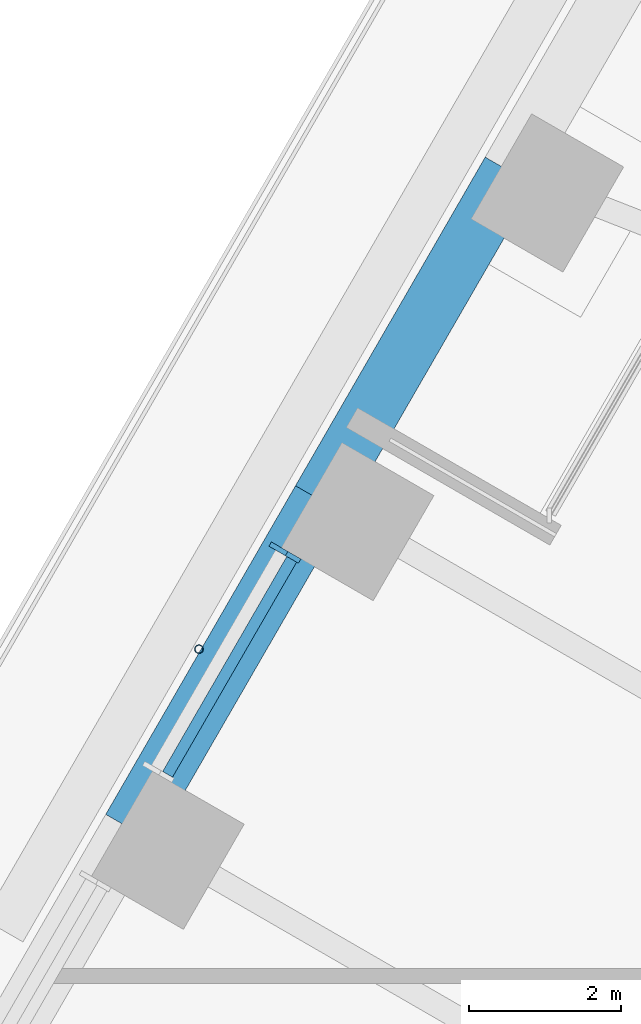
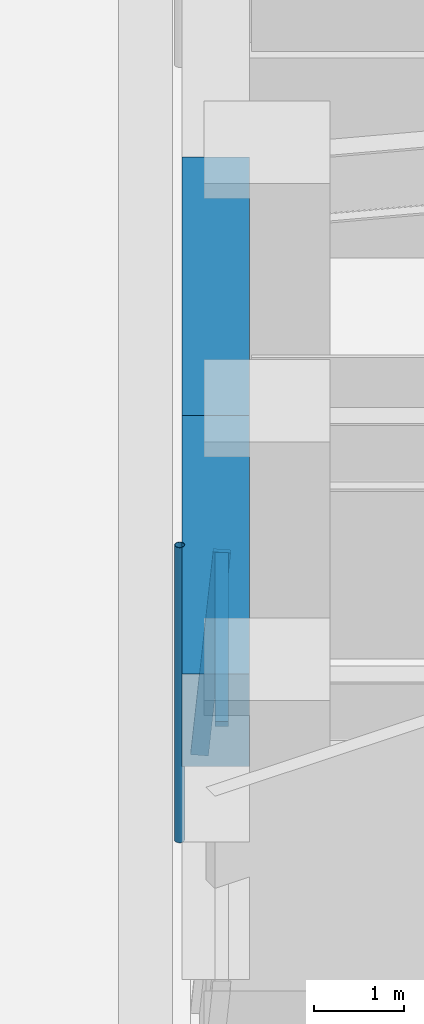
# One storey, part 7 of 24: 3 members, 2 beams, 1 element without a shape of its own.
"""IFC4 building model written with IfcOpenShell, lengths in metres."""

from ifc_helpers import new_model, si_unit, direction, frame, origin, origin_2d, place, context, subcontext, project, spatial, rectangle, hollow_circle, extrude, material, material_profile, profile_set, type_object, element, aggregate, save


model = new_model("IFC4")

# Units and contexts
model_context = context("Model", 3, precision=1e-05, world=origin(), true_north=direction((0.0, 1.0)))
body_context = subcontext(model_context, "Body", "Model", "MODEL_VIEW")
ifc_project = project(units=[si_unit("LENGTHUNIT", "METRE"), si_unit("AREAUNIT", "SQUARE_METRE"), si_unit("VOLUMEUNIT", "CUBIC_METRE"), si_unit("PLANEANGLEUNIT", "RADIAN"), si_unit("MASSUNIT", "GRAM", prefix="KILO")], contexts=[model_context])

# Site, building, storey
site_placement = place(None, origin())
site = spatial("IfcSite", under=ifc_project, at=site_placement, CompositionType="ELEMENT")
building_placement = place(site_placement, origin())
building = spatial("IfcBuilding", under=site, at=building_placement, Name="Tarfa Lantern Tower", CompositionType="ELEMENT")
storey_placement = place(building_placement, frame((0.0, 0.0, 165.699951171875)))
storey = spatial("IfcBuildingStorey", under=building, at=storey_placement, Name="L37", CompositionType="ELEMENT", Elevation=165.699951171875)

# Curtain wall, members
ifc_material_1 = material(Name="Aluminium framed curtain wall", Category="aluminium")
curtain_wall_type = type_object("IfcCurtainWallType", Name="CW2 CANTED GLAZING MID ZONE 2750", PredefinedType="USERDEFINED", material=ifc_material_1)
curtain_wall_placement = place(storey_placement, origin())
curtain_wall = element("IfcCurtainWall", 1, at=curtain_wall_placement, inside=storey, type_object=curtain_wall_type, Name="CW2 NWB L37", ObjectType="CURTAIN WALL", PredefinedType="USERDEFINED")
ifc_material_2 = material(Name="Aluminium mullion", Category="aluminium")
ifc_material_profile_1 = material_profile(ifc_material_2, rectangle(XDim=0.06494140625, YDim=0.199951171875, at=origin_2d()), Name="AL MULLION 65x200")
ifc_profile_set_1 = profile_set([ifc_material_profile_1], Name="Aluminium mullion")
member_type_1 = type_object("IfcMemberType", Name="CWM1 MULLION 65x200", PredefinedType="MULLION", material=ifc_profile_set_1)
member_1_placement = place(storey_placement, frame((-30.111328125, 10.645751953125, 0.0), z_axis=(0.078422950161, -0.045267813396, 0.995891894715), x_axis=(0.499919672301, 0.866071776036, 0.0)))
member_1 = element("IfcMember", 2, at=member_1_placement, type_object=member_type_1, Name="CW2 mullion 1", PredefinedType="MULLION", context=body_context, shape_type="SweptSolid", body=[
    extrude(rectangle(XDim=0.06494140625, YDim=0.199951171875, at=origin_2d()), origin(), (0.0, 0.0, 1.0), 2.76123046875),
])
ifc_material_3 = material(Name="Aluminium transom", Category="aluminium")
ifc_material_profile_2 = material_profile(ifc_material_3, rectangle(XDim=0.14990234375, YDim=0.06494140625, at=origin_2d()), Name="AL TRANSOM 150x65")
ifc_profile_set_2 = profile_set([ifc_material_profile_2], Name="Aluminium transom")
member_type_2 = type_object("IfcMemberType", Name="CWT1 TRANSOM 150x65", PredefinedType="USERDEFINED", material=ifc_profile_set_2)
member_2_placement = place(storey_placement, frame((-29.91357421875, 10.494140625, 2.717529296875), z_axis=(-0.500012937857, -0.86601793398, 0.0), x_axis=(0.86601793398, -0.500012937857, 0.0)))
member_2 = element("IfcMember", 3, at=member_2_placement, type_object=member_type_2, Name="CW2 transom 1.2", ObjectType="TRANSOM", PredefinedType="USERDEFINED", context=body_context, shape_type="SweptSolid", body=[
    extrude(rectangle(XDim=0.14990234375, YDim=0.06494140625, at=origin_2d()), origin(), (0.0, 0.0, 1.0), 3.27392578125),
])
aggregate(curtain_wall, [member_1, member_2])

# Beams
ifc_material_4 = material(Name="Concrete C80/95", Category="concrete")
ifc_material_profile_3 = material_profile(ifc_material_4, rectangle(XDim=0.75, YDim=1.25, at=origin_2d()), Name="RC 750x1250")
ifc_profile_set_3 = profile_set([ifc_material_profile_3], Name="Concrete C80/95")
beam_type = type_object("IfcBeamType", Name="EB2 RC 750x1250", PredefinedType="SPANDREL", material=ifc_profile_set_3)
for number, where, z_axis, x_axis, name in (
    (4, (-27.037353515625, 15.610107421875, 3.375), (-0.499964603504, -0.866045838996, 0.0), (0.866045838996, -0.499964603504, 0.0), "Edge beam NW3"),
    (5, (-29.5390625, 11.276611328125, 3.375), (-0.500022324899, -0.866012514114, 0.0), (0.866012514114, -0.500022324899, 0.0), "Edge beam NW4"),
):
    element("IfcBeam", number, at=place(storey_placement, frame(where, z_axis=z_axis, x_axis=x_axis)), inside=storey, type_object=beam_type, Name=name, PredefinedType="SPANDREL", context=body_context, shape_type="SweptSolid", body=[
        extrude(rectangle(XDim=0.75, YDim=1.25, at=origin_2d()), origin(), (0.0, 0.0, 1.0), 5.003662109375),
    ])

# Member
ifc_material_5 = material(Name="Steel S355", Category="steel")
ifc_material_profile_4 = material_profile(ifc_material_5, hollow_circle(Radius=0.05712890625, WallThickness=0.00634765625, at=origin_2d()), Name="CHS114.3x6.3")
ifc_profile_set_4 = profile_set([ifc_material_profile_4], Name="Steel S355")
member_type_3 = type_object("IfcMemberType", Name="TR1 GREEN WALL TRELLIS CHS114.3x6.3", PredefinedType="USERDEFINED", material=ifc_profile_set_4)
member_3_placement = place(storey_placement, frame((-31.136474609375, 9.31005859375, 0.0), z_axis=(0.0, 0.0, 1.0), x_axis=(1.0, 0.0, 0.0)))
element("IfcMember", 6, at=member_3_placement, inside=storey, type_object=member_type_3, Name="Trellis post NW 2", ObjectType="TRELLIS", PredefinedType="USERDEFINED", context=body_context, shape_type="SweptSolid", body=[
    extrude(hollow_circle(Radius=0.05712890625, WallThickness=0.00634765625, at=origin_2d()), origin(), (0.0, 0.0, 1.0), 4.0),
])

save(model, "model.ifc")
